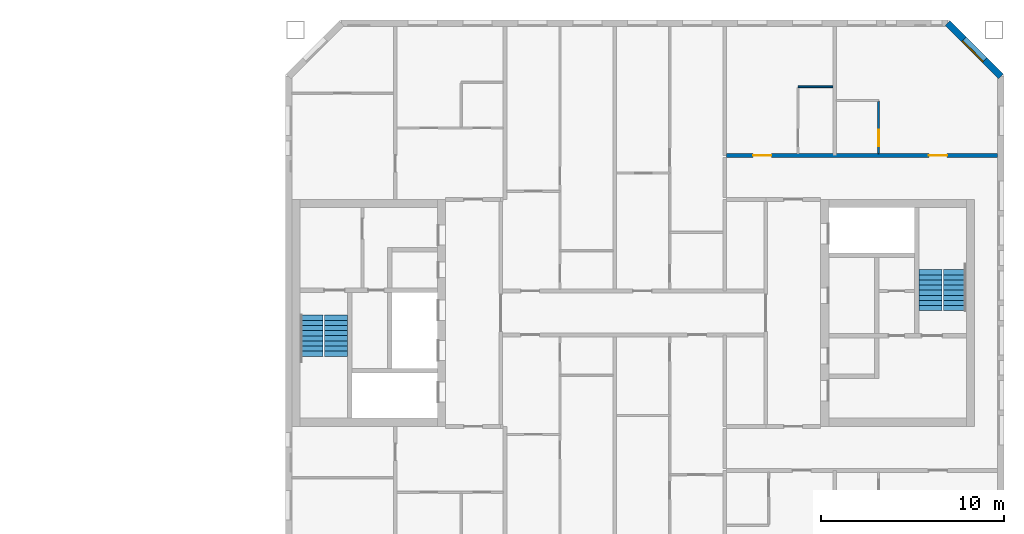
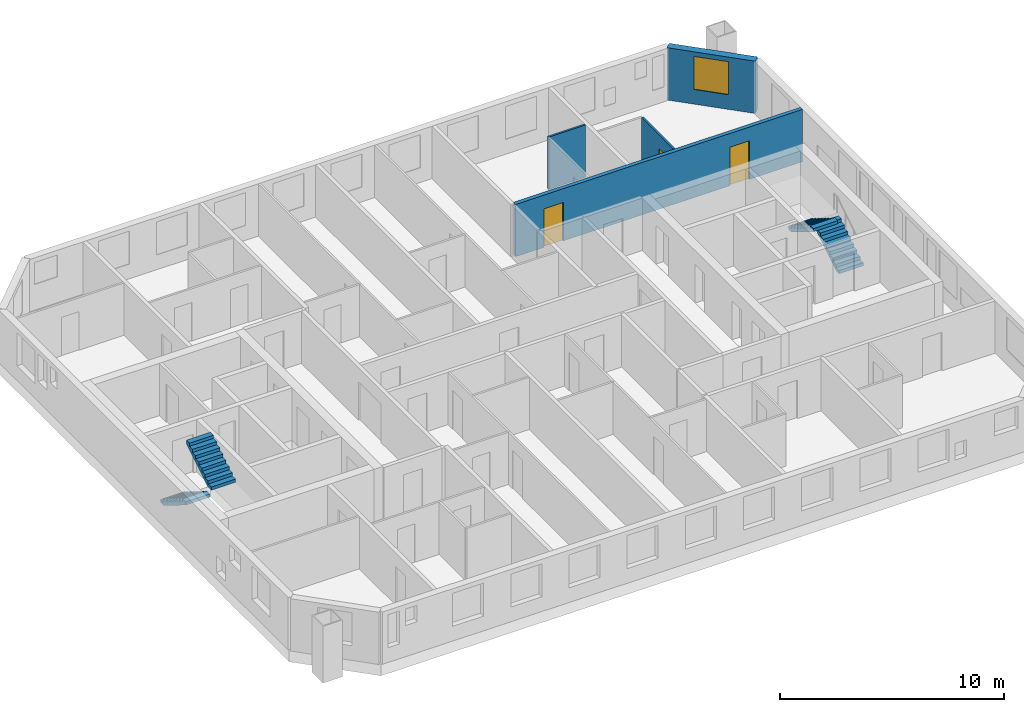
# One storey, part 14 of 16: 4 stair flights, 4 walls, 3 doors, 1 window, 4 openings, 2 elements without a shape of their own.
"""IFC4 building model written with IfcOpenShell, lengths in metres."""

from ifc_helpers import new_model, si_unit, direction, frame, frame_2d, origin, place, context, subcontext, project, spatial, polyline, rectangle, outline, extrude, material, layer, layer_set, type_object, element, fill, aggregate, save


model = new_model("IFC4")

# Units and contexts
model_context = context("Model", 3, precision=1e-05, world=origin(), true_north=direction((0.0, 1.0)))
body_context = subcontext(model_context, "Body", "Model", "MODEL_VIEW")
ifc_project = project(units=[si_unit("LENGTHUNIT", "METRE"), si_unit("AREAUNIT", "SQUARE_METRE"), si_unit("VOLUMEUNIT", "CUBIC_METRE"), si_unit("PLANEANGLEUNIT", "RADIAN"), si_unit("MASSUNIT", "GRAM", prefix="KILO")], contexts=[model_context])

# Site, building, storey
site_placement = place(None, origin())
site = spatial("IfcSite", under=ifc_project, at=site_placement, CompositionType="ELEMENT")
building_placement = place(site_placement, origin())
building = spatial("IfcBuilding", under=site, at=building_placement, Name="Tuart Gate Housing", CompositionType="ELEMENT")
storey_placement = place(building_placement, frame((0.0, 0.0, 175.800048828125)))
storey = spatial("IfcBuildingStorey", under=building, at=storey_placement, Name="L49", CompositionType="ELEMENT", Elevation=175.800048828125)

# Wall, opening, window
ifc_material_1 = material(Name="Brick", Category="masonry")
ifc_layer_1 = layer(ifc_material_1, 0.360107421875)
ifc_layer_set_1 = layer_set([ifc_layer_1], Name="Brick pier and spandrel wall 360")
wall_type_1 = type_object("IfcWallType", Name="Brick pier and spandrel wall 360", PredefinedType="STANDARD", material=ifc_layer_set_1)
wall_1_placement = place(storey_placement, frame((170.070068359375, 82.92529296875, 0.0), z_axis=(0.0, 0.0, 1.0), x_axis=(-0.707106781187, 0.707106781187, 0.0)))
wall_1 = element("IfcWall", 1, at=wall_1_placement, inside=storey, type_object=wall_type_1, Name="External wall B-NE L49", PredefinedType="STANDARD", context=body_context, shape_type="SweptSolid", body=[
    extrude(rectangle(XDim=4.09375, YDim=0.360107421875, at=frame_2d((2.046875, 0.0))), origin(), (0.0, 0.0, 1.0), 2.849853515625),
])
opening_1_placement = place(wall_1_placement, frame((1.2470703125, 0.0, 0.800048828125)))
opening_1 = element("IfcOpeningElement", 2, at=opening_1_placement, cuts=wall_1, Name="Opening W1", PredefinedType="OPENING", context=body_context, shape_type="SweptSolid", body=[
    extrude(rectangle(XDim=1.60009765625, YDim=1.800048828125, at=frame_2d((0.800048828125, 0.89990234375))), frame((0.0, 0.18994140625, 0.0), z_axis=(0.0, -1.0, 0.0), x_axis=(1.0, 0.0, 0.0)), (0.0, 0.0, 1.0), 0.380126953125),
])
ifc_material_2 = material(Name="Aluminium frame with clear glass", Category="aluminium")
window_type = type_object("IfcWindowType", Name="Punched window 1600 x 1800", PartitioningType="SINGLE_PANEL", PredefinedType="WINDOW", material=ifc_material_2)
window_placement = place(opening_1_placement, origin())
window = element("IfcWindow", 3, at=window_placement, inside=storey, type_object=window_type, Name="Window W1", OverallHeight=1.800048828125, OverallWidth=1.60009765625, PartitioningType="SINGLE_PANEL", PredefinedType="WINDOW", context=body_context, shape_type="SweptSolid", body=[
    extrude(rectangle(XDim=1.60009765625, YDim=1.800048828125, at=frame_2d((0.800048828125, 0.89990234375))), frame((0.0, 0.150146484375, 0.0), z_axis=(0.0, -1.0, 0.0), x_axis=(1.0, 0.0, 0.0)), (0.0, 0.0, 1.0), 0.06005859375),
])
fill(opening_1, window)

# Wall, openings, doors
ifc_material_3 = material(Name="Concrete masonry 15 MPa", Category="masonry")
ifc_layer_2 = layer(ifc_material_3, 0.199951171875)
ifc_layer_set_2 = layer_set([ifc_layer_2], Name="Corridor wall masonry 200")
wall_type_2 = type_object("IfcWallType", Name="Corridor wall masonry 200", PredefinedType="PARTITIONING", material=ifc_layer_set_2)
wall_2_placement = place(storey_placement, frame((155.10009765625, 78.60009765625, 0.0), z_axis=(0.0, 0.0, 1.0), x_axis=(1.0, 0.0, 0.0)))
wall_2 = element("IfcWall", 4, at=wall_2_placement, inside=storey, type_object=wall_type_2, Name="Corridor wall masonry 200", PredefinedType="PARTITIONING", context=body_context, shape_type="SweptSolid", body=[
    extrude(rectangle(XDim=14.789794921875, YDim=0.199951171875, at=frame_2d((7.39501953125, 0.0))), origin(), (0.0, 0.0, 1.0), 2.849853515625),
])
opening_2_placement = place(wall_2_placement, frame((1.449951171875, 0.0, 0.0)))
opening_2 = element("IfcOpeningElement", 5, at=opening_2_placement, cuts=wall_2, Name="Opening D1797", PredefinedType="OPENING", context=body_context, shape_type="SweptSolid", body=[
    extrude(rectangle(XDim=1.0, YDim=2.10009765625, at=frame_2d((0.5, 1.050048828125))), frame((0.0, 0.10986328125, 0.0), z_axis=(0.0, -1.0, 0.0), x_axis=(1.0, 0.0, 0.0)), (0.0, 0.0, 1.0), 0.219970703125),
])
opening_3_placement = place(wall_2_placement, frame((11.044921875, 0.0, 0.0)))
opening_3 = element("IfcOpeningElement", 6, at=opening_3_placement, cuts=wall_2, Name="Opening D1798", PredefinedType="OPENING", context=body_context, shape_type="SweptSolid", body=[
    extrude(rectangle(XDim=1.0, YDim=2.10009765625, at=frame_2d((0.5, 1.050048828125))), frame((0.0, 0.10986328125, 0.0), z_axis=(0.0, -1.0, 0.0), x_axis=(1.0, 0.0, 0.0)), (0.0, 0.0, 1.0), 0.219970703125),
])
ifc_material_4 = material(Name="Timber door leaf in steel frame", Category="steel")
door_type_1 = type_object("IfcDoorType", Name="Flat entrance door 1000", OperationType="SINGLE_SWING_LEFT", PredefinedType="DOOR", material=ifc_material_4)
door_1_placement = place(opening_3_placement, origin())
door_1 = element("IfcDoor", 7, at=door_1_placement, inside=storey, type_object=door_type_1, Name="Flat entrance door", OperationType="SINGLE_SWING_LEFT", OverallHeight=2.10009765625, OverallWidth=1.0, PredefinedType="DOOR", context=body_context, shape_type="SweptSolid", body=[
    extrude(rectangle(XDim=1.0, YDim=2.10009765625, at=frame_2d((0.5, 1.050048828125))), frame((0.0, 0.02490234375, 0.0), z_axis=(0.0, -1.0, 0.0), x_axis=(1.0, 0.0, 0.0)), (0.0, 0.0, 1.0), 0.050048828125),
])
fill(opening_3, door_1)
ifc_material_5 = material(Name="Timber door leaf in steel frame", Category="steel")
door_type_2 = type_object("IfcDoorType", Name="Flat entrance door 1000 RH", OperationType="SINGLE_SWING_RIGHT", PredefinedType="DOOR", material=ifc_material_5)
door_2_placement = place(opening_2_placement, origin())
door_2 = element("IfcDoor", 8, at=door_2_placement, inside=storey, type_object=door_type_2, Name="Flat entrance door", OperationType="SINGLE_SWING_RIGHT", OverallHeight=2.10009765625, OverallWidth=1.0, PredefinedType="DOOR", context=body_context, shape_type="SweptSolid", body=[
    extrude(rectangle(XDim=1.0, YDim=2.10009765625, at=frame_2d((0.5, 1.050048828125))), frame((0.0, 0.02490234375, 0.0), z_axis=(0.0, -1.0, 0.0), x_axis=(1.0, 0.0, 0.0)), (0.0, 0.0, 1.0), 0.050048828125),
])
fill(opening_2, door_2)

# Wall
ifc_material_6 = material(Name="Gypsum board on steel studs", Category="steel")
ifc_layer_3 = layer(ifc_material_6, 0.10009765625)
ifc_layer_set_3 = layer_set([ifc_layer_3], Name="Partition 100")
wall_type_3 = type_object("IfcWallType", Name="Partition 100", PredefinedType="PARTITIONING", material=ifc_layer_set_3)
wall_3_placement = place(storey_placement, frame((159.0, 82.35009765625, 0.0), z_axis=(0.0, 0.0, 1.0), x_axis=(1.0, 0.0, 0.0)))
element("IfcWall", 9, at=wall_3_placement, inside=storey, type_object=wall_type_3, Name="Partition 100", PredefinedType="PARTITIONING", context=body_context, shape_type="SweptSolid", body=[
    extrude(rectangle(XDim=1.89990234375, YDim=0.10009765625, at=frame_2d((0.949951171875, 0.0))), origin(), (0.0, 0.0, 1.0), 2.849853515625),
])

# Wall, opening, door
wall_4_placement = place(storey_placement, frame((163.39990234375, 78.699951171875, 0.0), z_axis=(0.0, 0.0, 1.0), x_axis=(0.0, 1.0, 0.0)))
wall_4 = element("IfcWall", 10, at=wall_4_placement, inside=storey, type_object=wall_type_3, Name="Partition 100", PredefinedType="PARTITIONING", context=body_context, shape_type="SweptSolid", body=[
    extrude(rectangle(XDim=2.85009765625, YDim=0.10009765625, at=frame_2d((1.425048828125, 0.0))), origin(), (0.0, 0.0, 1.0), 2.849853515625),
])
opening_4_placement = place(wall_4_placement, frame((0.39990234375, 0.0, 0.0)))
opening_4 = element("IfcOpeningElement", 11, at=opening_4_placement, cuts=wall_4, Name="Opening D1794", PredefinedType="OPENING", context=body_context, shape_type="SweptSolid", body=[
    extrude(rectangle(XDim=0.89990234375, YDim=2.10009765625, at=frame_2d((0.449951171875, 1.050048828125))), frame((0.0, 0.06005859375, 0.0), z_axis=(0.0, -1.0, 0.0), x_axis=(1.0, 0.0, 0.0)), (0.0, 0.0, 1.0), 0.1201171875),
])
ifc_material_7 = material(Name="Timber door leaf in steel frame", Category="steel")
door_type_3 = type_object("IfcDoorType", Name="Bathroom door 900", OperationType="SINGLE_SWING_LEFT", PredefinedType="DOOR", material=ifc_material_7)
door_3_placement = place(opening_4_placement, origin())
door_3 = element("IfcDoor", 12, at=door_3_placement, inside=storey, type_object=door_type_3, Name="Bathroom door", OperationType="SINGLE_SWING_LEFT", OverallHeight=2.10009765625, OverallWidth=0.89990234375, PredefinedType="DOOR", context=body_context, shape_type="SweptSolid", body=[
    extrude(rectangle(XDim=0.89990234375, YDim=2.10009765625, at=frame_2d((0.449951171875, 1.050048828125))), frame((0.0, 0.02490234375, 0.0), z_axis=(0.0, -1.0, 0.0), x_axis=(1.0, 0.0, 0.0)), (0.0, 0.0, 1.0), 0.050048828125),
])
fill(opening_4, door_3)

# Stair, stair flights
ifc_material_8 = material(Name="Concrete C40", Category="concrete")
stair_type = type_object("IfcStairType", Name="Core stair 1250", PredefinedType="HALF_TURN_STAIR", material=ifc_material_8)
stair_1_placement = place(storey_placement, origin())
stair_1 = element("IfcStair", 13, at=stair_1_placement, inside=storey, type_object=stair_type, Name="Stair SB1", PredefinedType="HALF_TURN_STAIR")
ifc_material_9 = material(Name="Concrete C40", Category="concrete")
stair_flight_type = type_object("IfcStairFlightType", Name="Stair flight 1250, 9 risers 172 x 280", PredefinedType="STRAIGHT", material=ifc_material_9)
stair_flight_1_placement = place(storey_placement, frame((132.43505859375, 69.875, 0.0), z_axis=(0.0, 0.0, 1.0), x_axis=(0.0, -1.0, 0.0)))
stair_flight_1 = element("IfcStairFlight", 14, at=stair_flight_1_placement, type_object=stair_flight_type, Name="SB1 flight 1", NumberOfRisers=9, NumberOfTreads=8, PredefinedType="STRAIGHT", RiserHeight=0.172222222, TreadLength=0.28, context=body_context, shape_type="SweptSolid", body=[
    extrude(outline(polyline([(0.0, 0.0), (0.0, 0.172119140625), (0.280029296875, 0.172119140625), (0.280029296875, 0.344482421875), (0.56005859375, 0.344482421875), (0.56005859375, 0.5166015625), (0.840087890625, 0.5166015625), (0.840087890625, 0.68896484375), (1.1201171875, 0.68896484375), (1.1201171875, 0.861083984375), (1.39990234375, 0.861083984375), (1.39990234375, 1.033447265625), (1.679931640625, 1.033447265625), (1.679931640625, 1.20556640625), (1.9599609375, 1.20556640625), (1.9599609375, 1.377685546875), (2.239990234375, 1.377685546875), (2.239990234375, 1.550048828125), (2.239990234375, 1.201904296875), (0.2861328125, 0.0), (0.0, 0.0)])), frame((0.0, 0.625, 0.0), z_axis=(0.0, -1.0, 0.0), x_axis=(1.0, 0.0, 0.0)), (0.0, 0.0, 1.0), 1.25),
])
stair_flight_2_placement = place(storey_placement, frame((133.760009765625, 67.635009765625, 1.550048828125), z_axis=(0.0, 0.0, 1.0), x_axis=(0.0, 1.0, 0.0)))
stair_flight_2 = element("IfcStairFlight", 15, at=stair_flight_2_placement, type_object=stair_flight_type, Name="SB1 flight 2", NumberOfRisers=9, NumberOfTreads=8, PredefinedType="STRAIGHT", RiserHeight=0.172222222, TreadLength=0.28, context=body_context, shape_type="SweptSolid", body=[
    extrude(outline(polyline([(0.0, 0.0), (0.0, 0.172119140625), (0.280029296875, 0.172119140625), (0.280029296875, 0.344482421875), (0.56005859375, 0.344482421875), (0.56005859375, 0.5166015625), (0.840087890625, 0.5166015625), (0.840087890625, 0.68896484375), (1.1201171875, 0.68896484375), (1.1201171875, 0.861083984375), (1.39990234375, 0.861083984375), (1.39990234375, 1.033447265625), (1.679931640625, 1.033447265625), (1.679931640625, 1.20556640625), (1.9599609375, 1.20556640625), (1.9599609375, 1.377685546875), (2.239990234375, 1.377685546875), (2.239990234375, 1.550048828125), (2.239990234375, 1.201904296875), (0.2861328125, 0.0), (0.0, 0.0)])), frame((0.0, 0.625, 0.0), z_axis=(0.0, -1.0, 0.0), x_axis=(1.0, 0.0, 0.0)), (0.0, 0.0, 1.0), 1.25),
])
aggregate(stair_1, [stair_flight_1, stair_flight_2])

stair_2_placement = place(storey_placement, origin())
stair_2 = element("IfcStair", 16, at=stair_2_placement, inside=storey, type_object=stair_type, Name="Stair SB2", PredefinedType="HALF_TURN_STAIR")
stair_flight_3_placement = place(storey_placement, frame((167.56494140625, 70.125, 0.0), z_axis=(0.0, 0.0, 1.0), x_axis=(0.0, 1.0, 0.0)))
stair_flight_3 = element("IfcStairFlight", 17, at=stair_flight_3_placement, type_object=stair_flight_type, Name="SB2 flight 1", NumberOfRisers=9, NumberOfTreads=8, PredefinedType="STRAIGHT", RiserHeight=0.172222222, TreadLength=0.28, context=body_context, shape_type="SweptSolid", body=[
    extrude(outline(polyline([(0.0, 0.0), (0.0, 0.172119140625), (0.280029296875, 0.172119140625), (0.280029296875, 0.344482421875), (0.56005859375, 0.344482421875), (0.56005859375, 0.5166015625), (0.840087890625, 0.5166015625), (0.840087890625, 0.68896484375), (1.1201171875, 0.68896484375), (1.1201171875, 0.861083984375), (1.39990234375, 0.861083984375), (1.39990234375, 1.033447265625), (1.679931640625, 1.033447265625), (1.679931640625, 1.20556640625), (1.9599609375, 1.20556640625), (1.9599609375, 1.377685546875), (2.239990234375, 1.377685546875), (2.239990234375, 1.550048828125), (2.239990234375, 1.201904296875), (0.2861328125, 0.0), (0.0, 0.0)])), frame((0.0, 0.625, 0.0), z_axis=(0.0, -1.0, 0.0), x_axis=(1.0, 0.0, 0.0)), (0.0, 0.0, 1.0), 1.25),
])
stair_flight_4_placement = place(storey_placement, frame((166.239990234375, 72.364990234375, 1.550048828125), z_axis=(0.0, 0.0, 1.0), x_axis=(0.0, -1.0, 0.0)))
stair_flight_4 = element("IfcStairFlight", 18, at=stair_flight_4_placement, type_object=stair_flight_type, Name="SB2 flight 2", NumberOfRisers=9, NumberOfTreads=8, PredefinedType="STRAIGHT", RiserHeight=0.172222222, TreadLength=0.28, context=body_context, shape_type="SweptSolid", body=[
    extrude(outline(polyline([(0.0, 0.0), (0.0, 0.172119140625), (0.280029296875, 0.172119140625), (0.280029296875, 0.344482421875), (0.56005859375, 0.344482421875), (0.56005859375, 0.5166015625), (0.840087890625, 0.5166015625), (0.840087890625, 0.68896484375), (1.1201171875, 0.68896484375), (1.1201171875, 0.861083984375), (1.39990234375, 0.861083984375), (1.39990234375, 1.033447265625), (1.679931640625, 1.033447265625), (1.679931640625, 1.20556640625), (1.9599609375, 1.20556640625), (1.9599609375, 1.377685546875), (2.239990234375, 1.377685546875), (2.239990234375, 1.550048828125), (2.239990234375, 1.201904296875), (0.2861328125, 0.0), (0.0, 0.0)])), frame((0.0, 0.625, 0.0), z_axis=(0.0, -1.0, 0.0), x_axis=(1.0, 0.0, 0.0)), (0.0, 0.0, 1.0), 1.25),
])
aggregate(stair_2, [stair_flight_3, stair_flight_4])

save(model, "model.ifc")
